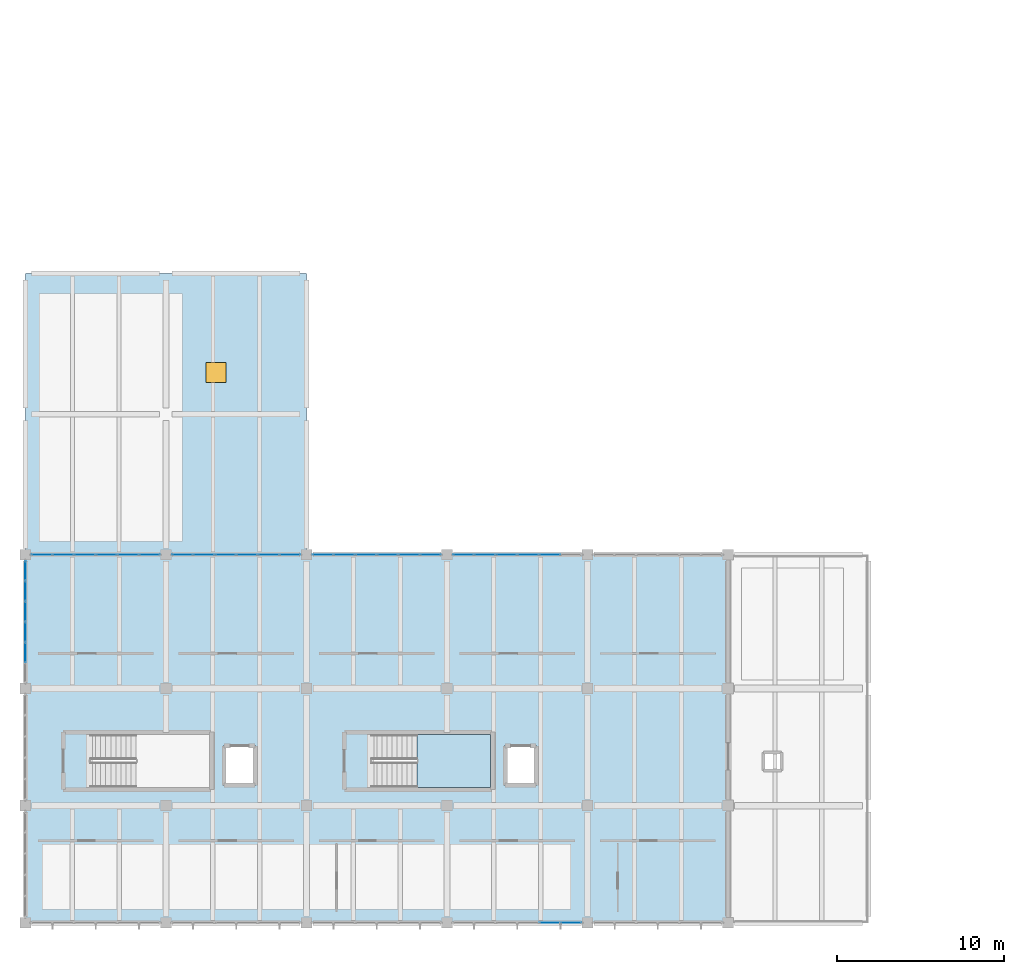
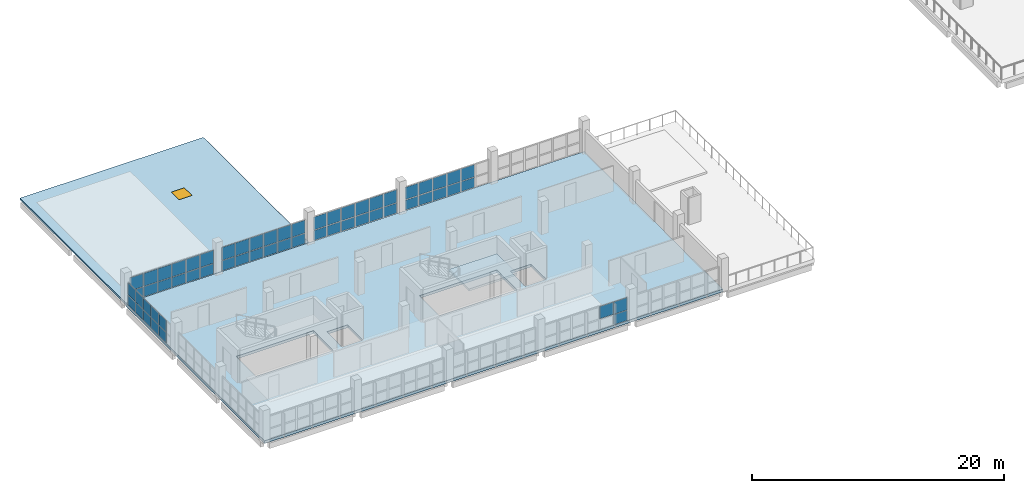
# One storey, part 23 of 33: 59 plates, 3 slabs, 1 door, 1 opening, 7 elements without a shape of their own.
"""IFC4 building model written with IfcOpenShell, lengths in metres."""

from ifc_helpers import new_model, si_unit, direction, frame, origin, origin_2d, place, context, subcontext, project, spatial, polyline, rectangle, outline, extrude, material, layer, layer_set, type_object, element, fill, aggregate, save


model = new_model("IFC4")

# Units and contexts
model_context = context("Model", 3, precision=1e-05, world=origin(), true_north=direction((0.0, 1.0)))
body_context = subcontext(model_context, "Body", "Model", "MODEL_VIEW")
ifc_project = project(units=[si_unit("LENGTHUNIT", "METRE"), si_unit("AREAUNIT", "SQUARE_METRE"), si_unit("VOLUMEUNIT", "CUBIC_METRE"), si_unit("PLANEANGLEUNIT", "RADIAN"), si_unit("MASSUNIT", "GRAM", prefix="KILO"), si_unit("THERMODYNAMICTEMPERATUREUNIT", "KELVIN"), si_unit("POWERUNIT", "WATT")], contexts=[model_context])

# Site, building, storey
site_placement = place(None, origin())
site = spatial("IfcSite", under=ifc_project, at=site_placement, CompositionType="ELEMENT")
building_placement = place(site_placement, origin())
building = spatial("IfcBuilding", under=site, at=building_placement, Name="Mavoryth Pier Ferry Terminal", CompositionType="ELEMENT")
storey_placement = place(building_placement, frame((0.0, 0.0, 13.1201171875)))
storey = spatial("IfcBuildingStorey", under=building, at=storey_placement, Name="L03", CompositionType="ELEMENT", Elevation=13.1201171875)

# Curtain wall, plates
ifc_material_1 = material(Name="Anodised Aluminium and Solar-Control Low-E Glass", Category="aluminium")
ifc_layer_1 = layer(ifc_material_1, 0.239990234375, Name="Anodised Aluminium and Solar-Control Low-E Glass", Category="aluminium")
ifc_layer_set_1 = layer_set([ifc_layer_1], Name="Anodised Aluminium and Solar-Control Low-E Glass - CW-Operations-Mod1200")
curtain_wall_type = type_object("IfcCurtainWallType", Name="CW-Operations-Mod1200", PredefinedType="USERDEFINED", material=ifc_layer_set_1)
curtain_wall_1_placement = place(storey_placement, origin())
curtain_wall_1 = element("IfcCurtainWall", 1, at=curtain_wall_1_placement, inside=storey, type_object=curtain_wall_type, Name="Curtain Wall CW-0322-137", ObjectType="UNITISED CURTAIN WALL", PredefinedType="USERDEFINED")
ifc_material_2 = material(Name="Solar-Control Low-E Laminated Double Glazing", Category="glass")
ifc_layer_2 = layer(ifc_material_2, 0.02392578125, Name="Solar-Control Low-E Laminated Double Glazing", Category="glass")
ifc_layer_set_2 = layer_set([ifc_layer_2], Name="Solar-Control Low-E Laminated Double Glazing - Panel-LowE-DGU-24")
plate_type = type_object("IfcPlateType", Name="Panel-LowE-DGU-24", PredefinedType="CURTAIN_PANEL", material=ifc_layer_set_2)
plate_1_placement = place(storey_placement, frame((49.4140625, 22.0, 0.059814453125), z_axis=(0.0, 0.0, 1.0), x_axis=(-1.0, 0.0, 0.0)))
plate_1 = element("IfcPlate", 2, at=plate_1_placement, type_object=plate_type, Name="CW06 panel 1.1", PredefinedType="CURTAIN_PANEL", context=body_context, shape_type="SweptSolid", body=[
    extrude(rectangle(XDim=1.20166015625, YDim=0.02392578125, at=origin_2d()), origin(), (0.0, 0.0, 1.0), 0.9599609375),
])
plate_2_placement = place(storey_placement, frame((49.4140625, 22.0, 1.079833984375), z_axis=(0.0, 0.0, 1.0), x_axis=(-1.0, 0.0, 0.0)))
plate_2 = element("IfcPlate", 3, at=plate_2_placement, type_object=plate_type, Name="CW06 panel 1.2", PredefinedType="CURTAIN_PANEL", context=body_context, shape_type="SweptSolid", body=[
    extrude(rectangle(XDim=1.20166015625, YDim=0.02392578125, at=origin_2d()), origin(), (0.0, 0.0, 1.0), 1.2451171875),
])
plate_3_placement = place(storey_placement, frame((48.137451171875, 22.0, 0.059814453125), z_axis=(0.0, 0.0, 1.0), x_axis=(-1.0, 0.0, 0.0)))
plate_3 = element("IfcPlate", 4, at=plate_3_placement, type_object=plate_type, Name="CW06 panel 2.1", PredefinedType="CURTAIN_PANEL", context=body_context, shape_type="SweptSolid", body=[
    extrude(rectangle(XDim=1.231689453125, YDim=0.02392578125, at=origin_2d()), origin(), (0.0, 0.0, 1.0), 0.9599609375),
])
plate_4_placement = place(storey_placement, frame((48.137451171875, 22.0, 1.079833984375), z_axis=(0.0, 0.0, 1.0), x_axis=(-1.0, 0.0, 0.0)))
plate_4 = element("IfcPlate", 5, at=plate_4_placement, type_object=plate_type, Name="CW06 panel 2.2", PredefinedType="CURTAIN_PANEL", context=body_context, shape_type="SweptSolid", body=[
    extrude(rectangle(XDim=1.231689453125, YDim=0.02392578125, at=origin_2d()), origin(), (0.0, 0.0, 1.0), 1.2451171875),
])
plate_5_placement = place(storey_placement, frame((46.845947265625, 22.0, 0.059814453125), z_axis=(0.0, 0.0, 1.0), x_axis=(-1.0, 0.0, 0.0)))
plate_5 = element("IfcPlate", 6, at=plate_5_placement, type_object=plate_type, Name="CW06 panel 3.1", PredefinedType="CURTAIN_PANEL", context=body_context, shape_type="SweptSolid", body=[
    extrude(rectangle(XDim=1.231689453125, YDim=0.02392578125, at=origin_2d()), origin(), (0.0, 0.0, 1.0), 0.9599609375),
])
plate_6_placement = place(storey_placement, frame((46.845947265625, 22.0, 1.079833984375), z_axis=(0.0, 0.0, 1.0), x_axis=(-1.0, 0.0, 0.0)))
plate_6 = element("IfcPlate", 7, at=plate_6_placement, type_object=plate_type, Name="CW06 panel 3.2", PredefinedType="CURTAIN_PANEL", context=body_context, shape_type="SweptSolid", body=[
    extrude(rectangle(XDim=1.231689453125, YDim=0.02392578125, at=origin_2d()), origin(), (0.0, 0.0, 1.0), 1.2451171875),
])
plate_7_placement = place(storey_placement, frame((45.55419921875, 22.0, 0.059814453125), z_axis=(0.0, 0.0, 1.0), x_axis=(-1.0, 0.0, 0.0)))
plate_7 = element("IfcPlate", 8, at=plate_7_placement, type_object=plate_type, Name="CW06 panel 4.1", PredefinedType="CURTAIN_PANEL", context=body_context, shape_type="SweptSolid", body=[
    extrude(rectangle(XDim=1.231689453125, YDim=0.02392578125, at=origin_2d()), origin(), (0.0, 0.0, 1.0), 0.9599609375),
])
plate_8_placement = place(storey_placement, frame((45.55419921875, 22.0, 1.079833984375), z_axis=(0.0, 0.0, 1.0), x_axis=(-1.0, 0.0, 0.0)))
plate_8 = element("IfcPlate", 9, at=plate_8_placement, type_object=plate_type, Name="CW06 panel 4.2", PredefinedType="CURTAIN_PANEL", context=body_context, shape_type="SweptSolid", body=[
    extrude(rectangle(XDim=1.231689453125, YDim=0.02392578125, at=origin_2d()), origin(), (0.0, 0.0, 1.0), 1.2451171875),
])
plate_9_placement = place(storey_placement, frame((44.262451171875, 22.0, 0.059814453125), z_axis=(0.0, 0.0, 1.0), x_axis=(-1.0, 0.0, 0.0)))
plate_9 = element("IfcPlate", 10, at=plate_9_placement, type_object=plate_type, Name="CW06 panel 5.1", PredefinedType="CURTAIN_PANEL", context=body_context, shape_type="SweptSolid", body=[
    extrude(rectangle(XDim=1.231689453125, YDim=0.02392578125, at=origin_2d()), origin(), (0.0, 0.0, 1.0), 0.9599609375),
])
plate_10_placement = place(storey_placement, frame((44.262451171875, 22.0, 1.079833984375), z_axis=(0.0, 0.0, 1.0), x_axis=(-1.0, 0.0, 0.0)))
plate_10 = element("IfcPlate", 11, at=plate_10_placement, type_object=plate_type, Name="CW06 panel 5.2", PredefinedType="CURTAIN_PANEL", context=body_context, shape_type="SweptSolid", body=[
    extrude(rectangle(XDim=1.231689453125, YDim=0.02392578125, at=origin_2d()), origin(), (0.0, 0.0, 1.0), 1.2451171875),
])
plate_11_placement = place(storey_placement, frame((42.98583984375, 22.0, 0.059814453125), z_axis=(0.0, 0.0, 1.0), x_axis=(-1.0, 0.0, 0.0)))
plate_11 = element("IfcPlate", 12, at=plate_11_placement, type_object=plate_type, Name="CW06 panel 6.1", PredefinedType="CURTAIN_PANEL", context=body_context, shape_type="SweptSolid", body=[
    extrude(rectangle(XDim=1.20166015625, YDim=0.02392578125, at=origin_2d()), origin(), (0.0, 0.0, 1.0), 0.9599609375),
])
plate_12_placement = place(storey_placement, frame((42.98583984375, 22.0, 1.079833984375), z_axis=(0.0, 0.0, 1.0), x_axis=(-1.0, 0.0, 0.0)))
plate_12 = element("IfcPlate", 13, at=plate_12_placement, type_object=plate_type, Name="CW06 panel 6.2", PredefinedType="CURTAIN_PANEL", context=body_context, shape_type="SweptSolid", body=[
    extrude(rectangle(XDim=1.20166015625, YDim=0.02392578125, at=origin_2d()), origin(), (0.0, 0.0, 1.0), 1.2451171875),
])
aggregate(curtain_wall_1, [plate_1, plate_2, plate_3, plate_4, plate_5, plate_6, plate_7, plate_8, plate_9, plate_10, plate_11, plate_12])

curtain_wall_2_placement = place(storey_placement, origin())
curtain_wall_2 = element("IfcCurtainWall", 14, at=curtain_wall_2_placement, inside=storey, type_object=curtain_wall_type, Name="Curtain Wall CW-0322-139", ObjectType="UNITISED CURTAIN WALL", PredefinedType="USERDEFINED")
plate_13_placement = place(storey_placement, frame((57.814208984375, 22.0, 0.059814453125), z_axis=(0.0, 0.0, 1.0), x_axis=(-1.0, 0.0, 0.0)))
plate_13 = element("IfcPlate", 15, at=plate_13_placement, type_object=plate_type, Name="CW06 panel 1.1", PredefinedType="CURTAIN_PANEL", context=body_context, shape_type="SweptSolid", body=[
    extrude(rectangle(XDim=1.20166015625, YDim=0.02392578125, at=origin_2d()), origin(), (0.0, 0.0, 1.0), 0.9599609375),
])
plate_14_placement = place(storey_placement, frame((57.814208984375, 22.0, 1.079833984375), z_axis=(0.0, 0.0, 1.0), x_axis=(-1.0, 0.0, 0.0)))
plate_14 = element("IfcPlate", 16, at=plate_14_placement, type_object=plate_type, Name="CW06 panel 1.2", PredefinedType="CURTAIN_PANEL", context=body_context, shape_type="SweptSolid", body=[
    extrude(rectangle(XDim=1.20166015625, YDim=0.02392578125, at=origin_2d()), origin(), (0.0, 0.0, 1.0), 1.2451171875),
])
plate_15_placement = place(storey_placement, frame((56.53759765625, 22.0, 0.059814453125), z_axis=(0.0, 0.0, 1.0), x_axis=(-1.0, 0.0, 0.0)))
plate_15 = element("IfcPlate", 17, at=plate_15_placement, type_object=plate_type, Name="CW06 panel 2.1", PredefinedType="CURTAIN_PANEL", context=body_context, shape_type="SweptSolid", body=[
    extrude(rectangle(XDim=1.231689453125, YDim=0.02392578125, at=origin_2d()), origin(), (0.0, 0.0, 1.0), 0.9599609375),
])
plate_16_placement = place(storey_placement, frame((56.53759765625, 22.0, 1.079833984375), z_axis=(0.0, 0.0, 1.0), x_axis=(-1.0, 0.0, 0.0)))
plate_16 = element("IfcPlate", 18, at=plate_16_placement, type_object=plate_type, Name="CW06 panel 2.2", PredefinedType="CURTAIN_PANEL", context=body_context, shape_type="SweptSolid", body=[
    extrude(rectangle(XDim=1.231689453125, YDim=0.02392578125, at=origin_2d()), origin(), (0.0, 0.0, 1.0), 1.2451171875),
])
plate_17_placement = place(storey_placement, frame((55.245849609375, 22.0, 0.059814453125), z_axis=(0.0, 0.0, 1.0), x_axis=(-1.0, 0.0, 0.0)))
plate_17 = element("IfcPlate", 19, at=plate_17_placement, type_object=plate_type, Name="CW06 panel 3.1", PredefinedType="CURTAIN_PANEL", context=body_context, shape_type="SweptSolid", body=[
    extrude(rectangle(XDim=1.231689453125, YDim=0.02392578125, at=origin_2d()), origin(), (0.0, 0.0, 1.0), 0.9599609375),
])
plate_18_placement = place(storey_placement, frame((55.245849609375, 22.0, 1.079833984375), z_axis=(0.0, 0.0, 1.0), x_axis=(-1.0, 0.0, 0.0)))
plate_18 = element("IfcPlate", 20, at=plate_18_placement, type_object=plate_type, Name="CW06 panel 3.2", PredefinedType="CURTAIN_PANEL", context=body_context, shape_type="SweptSolid", body=[
    extrude(rectangle(XDim=1.231689453125, YDim=0.02392578125, at=origin_2d()), origin(), (0.0, 0.0, 1.0), 1.2451171875),
])
plate_19_placement = place(storey_placement, frame((53.9541015625, 22.0, 0.059814453125), z_axis=(0.0, 0.0, 1.0), x_axis=(-1.0, 0.0, 0.0)))
plate_19 = element("IfcPlate", 21, at=plate_19_placement, type_object=plate_type, Name="CW06 panel 4.1", PredefinedType="CURTAIN_PANEL", context=body_context, shape_type="SweptSolid", body=[
    extrude(rectangle(XDim=1.231689453125, YDim=0.02392578125, at=origin_2d()), origin(), (0.0, 0.0, 1.0), 0.9599609375),
])
plate_20_placement = place(storey_placement, frame((53.9541015625, 22.0, 1.079833984375), z_axis=(0.0, 0.0, 1.0), x_axis=(-1.0, 0.0, 0.0)))
plate_20 = element("IfcPlate", 22, at=plate_20_placement, type_object=plate_type, Name="CW06 panel 4.2", PredefinedType="CURTAIN_PANEL", context=body_context, shape_type="SweptSolid", body=[
    extrude(rectangle(XDim=1.231689453125, YDim=0.02392578125, at=origin_2d()), origin(), (0.0, 0.0, 1.0), 1.2451171875),
])
plate_21_placement = place(storey_placement, frame((52.66259765625, 22.0, 0.059814453125), z_axis=(0.0, 0.0, 1.0), x_axis=(-1.0, 0.0, 0.0)))
plate_21 = element("IfcPlate", 23, at=plate_21_placement, type_object=plate_type, Name="CW06 panel 5.1", PredefinedType="CURTAIN_PANEL", context=body_context, shape_type="SweptSolid", body=[
    extrude(rectangle(XDim=1.231689453125, YDim=0.02392578125, at=origin_2d()), origin(), (0.0, 0.0, 1.0), 0.9599609375),
])
plate_22_placement = place(storey_placement, frame((52.66259765625, 22.0, 1.079833984375), z_axis=(0.0, 0.0, 1.0), x_axis=(-1.0, 0.0, 0.0)))
plate_22 = element("IfcPlate", 24, at=plate_22_placement, type_object=plate_type, Name="CW06 panel 5.2", PredefinedType="CURTAIN_PANEL", context=body_context, shape_type="SweptSolid", body=[
    extrude(rectangle(XDim=1.231689453125, YDim=0.02392578125, at=origin_2d()), origin(), (0.0, 0.0, 1.0), 1.2451171875),
])
plate_23_placement = place(storey_placement, frame((51.3857421875, 22.0, 0.059814453125), z_axis=(0.0, 0.0, 1.0), x_axis=(-1.0, 0.0, 0.0)))
plate_23 = element("IfcPlate", 25, at=plate_23_placement, type_object=plate_type, Name="CW06 panel 6.1", PredefinedType="CURTAIN_PANEL", context=body_context, shape_type="SweptSolid", body=[
    extrude(rectangle(XDim=1.20166015625, YDim=0.02392578125, at=origin_2d()), origin(), (0.0, 0.0, 1.0), 0.9599609375),
])
plate_24_placement = place(storey_placement, frame((51.3857421875, 22.0, 1.079833984375), z_axis=(0.0, 0.0, 1.0), x_axis=(-1.0, 0.0, 0.0)))
plate_24 = element("IfcPlate", 26, at=plate_24_placement, type_object=plate_type, Name="CW06 panel 6.2", PredefinedType="CURTAIN_PANEL", context=body_context, shape_type="SweptSolid", body=[
    extrude(rectangle(XDim=1.20166015625, YDim=0.02392578125, at=origin_2d()), origin(), (0.0, 0.0, 1.0), 1.2451171875),
])
aggregate(curtain_wall_2, [plate_13, plate_14, plate_15, plate_16, plate_17, plate_18, plate_19, plate_20, plate_21, plate_22, plate_23, plate_24])

curtain_wall_3_placement = place(storey_placement, origin())
curtain_wall_3 = element("IfcCurtainWall", 27, at=curtain_wall_3_placement, inside=storey, type_object=curtain_wall_type, Name="Curtain Wall CW-0322-141", ObjectType="UNITISED CURTAIN WALL", PredefinedType="USERDEFINED")
plate_25_placement = place(storey_placement, frame((66.214111328125, 22.0, 0.059814453125), z_axis=(0.0, 0.0, 1.0), x_axis=(-1.0, 0.0, 0.0)))
plate_25 = element("IfcPlate", 28, at=plate_25_placement, type_object=plate_type, Name="CW06 panel 1.1", PredefinedType="CURTAIN_PANEL", context=body_context, shape_type="SweptSolid", body=[
    extrude(rectangle(XDim=1.20166015625, YDim=0.02392578125, at=origin_2d()), origin(), (0.0, 0.0, 1.0), 0.9599609375),
])
plate_26_placement = place(storey_placement, frame((66.214111328125, 22.0, 1.079833984375), z_axis=(0.0, 0.0, 1.0), x_axis=(-1.0, 0.0, 0.0)))
plate_26 = element("IfcPlate", 29, at=plate_26_placement, type_object=plate_type, Name="CW06 panel 1.2", PredefinedType="CURTAIN_PANEL", context=body_context, shape_type="SweptSolid", body=[
    extrude(rectangle(XDim=1.20166015625, YDim=0.02392578125, at=origin_2d()), origin(), (0.0, 0.0, 1.0), 1.2451171875),
])
plate_27_placement = place(storey_placement, frame((64.9375, 22.0, 0.059814453125), z_axis=(0.0, 0.0, 1.0), x_axis=(-1.0, 0.0, 0.0)))
plate_27 = element("IfcPlate", 30, at=plate_27_placement, type_object=plate_type, Name="CW06 panel 2.1", PredefinedType="CURTAIN_PANEL", context=body_context, shape_type="SweptSolid", body=[
    extrude(rectangle(XDim=1.231689453125, YDim=0.02392578125, at=origin_2d()), origin(), (0.0, 0.0, 1.0), 0.9599609375),
])
plate_28_placement = place(storey_placement, frame((64.9375, 22.0, 1.079833984375), z_axis=(0.0, 0.0, 1.0), x_axis=(-1.0, 0.0, 0.0)))
plate_28 = element("IfcPlate", 31, at=plate_28_placement, type_object=plate_type, Name="CW06 panel 2.2", PredefinedType="CURTAIN_PANEL", context=body_context, shape_type="SweptSolid", body=[
    extrude(rectangle(XDim=1.231689453125, YDim=0.02392578125, at=origin_2d()), origin(), (0.0, 0.0, 1.0), 1.2451171875),
])
plate_29_placement = place(storey_placement, frame((63.645751953125, 22.0, 0.059814453125), z_axis=(0.0, 0.0, 1.0), x_axis=(-1.0, 0.0, 0.0)))
plate_29 = element("IfcPlate", 32, at=plate_29_placement, type_object=plate_type, Name="CW06 panel 3.1", PredefinedType="CURTAIN_PANEL", context=body_context, shape_type="SweptSolid", body=[
    extrude(rectangle(XDim=1.231689453125, YDim=0.02392578125, at=origin_2d()), origin(), (0.0, 0.0, 1.0), 0.9599609375),
])
plate_30_placement = place(storey_placement, frame((63.645751953125, 22.0, 1.079833984375), z_axis=(0.0, 0.0, 1.0), x_axis=(-1.0, 0.0, 0.0)))
plate_30 = element("IfcPlate", 33, at=plate_30_placement, type_object=plate_type, Name="CW06 panel 3.2", PredefinedType="CURTAIN_PANEL", context=body_context, shape_type="SweptSolid", body=[
    extrude(rectangle(XDim=1.231689453125, YDim=0.02392578125, at=origin_2d()), origin(), (0.0, 0.0, 1.0), 1.2451171875),
])
plate_31_placement = place(storey_placement, frame((62.354248046875, 22.0, 0.059814453125), z_axis=(0.0, 0.0, 1.0), x_axis=(-1.0, 0.0, 0.0)))
plate_31 = element("IfcPlate", 34, at=plate_31_placement, type_object=plate_type, Name="CW06 panel 4.1", PredefinedType="CURTAIN_PANEL", context=body_context, shape_type="SweptSolid", body=[
    extrude(rectangle(XDim=1.231689453125, YDim=0.02392578125, at=origin_2d()), origin(), (0.0, 0.0, 1.0), 0.9599609375),
])
plate_32_placement = place(storey_placement, frame((62.354248046875, 22.0, 1.079833984375), z_axis=(0.0, 0.0, 1.0), x_axis=(-1.0, 0.0, 0.0)))
plate_32 = element("IfcPlate", 35, at=plate_32_placement, type_object=plate_type, Name="CW06 panel 4.2", PredefinedType="CURTAIN_PANEL", context=body_context, shape_type="SweptSolid", body=[
    extrude(rectangle(XDim=1.231689453125, YDim=0.02392578125, at=origin_2d()), origin(), (0.0, 0.0, 1.0), 1.2451171875),
])
plate_33_placement = place(storey_placement, frame((61.0625, 22.0, 0.059814453125), z_axis=(0.0, 0.0, 1.0), x_axis=(-1.0, 0.0, 0.0)))
plate_33 = element("IfcPlate", 36, at=plate_33_placement, type_object=plate_type, Name="CW06 panel 5.1", PredefinedType="CURTAIN_PANEL", context=body_context, shape_type="SweptSolid", body=[
    extrude(rectangle(XDim=1.231689453125, YDim=0.02392578125, at=origin_2d()), origin(), (0.0, 0.0, 1.0), 0.9599609375),
])
plate_34_placement = place(storey_placement, frame((61.0625, 22.0, 1.079833984375), z_axis=(0.0, 0.0, 1.0), x_axis=(-1.0, 0.0, 0.0)))
plate_34 = element("IfcPlate", 37, at=plate_34_placement, type_object=plate_type, Name="CW06 panel 5.2", PredefinedType="CURTAIN_PANEL", context=body_context, shape_type="SweptSolid", body=[
    extrude(rectangle(XDim=1.231689453125, YDim=0.02392578125, at=origin_2d()), origin(), (0.0, 0.0, 1.0), 1.2451171875),
])
plate_35_placement = place(storey_placement, frame((59.785888671875, 22.0, 0.059814453125), z_axis=(0.0, 0.0, 1.0), x_axis=(-1.0, 0.0, 0.0)))
plate_35 = element("IfcPlate", 38, at=plate_35_placement, type_object=plate_type, Name="CW06 panel 6.1", PredefinedType="CURTAIN_PANEL", context=body_context, shape_type="SweptSolid", body=[
    extrude(rectangle(XDim=1.20166015625, YDim=0.02392578125, at=origin_2d()), origin(), (0.0, 0.0, 1.0), 0.9599609375),
])
plate_36_placement = place(storey_placement, frame((59.785888671875, 22.0, 1.079833984375), z_axis=(0.0, 0.0, 1.0), x_axis=(-1.0, 0.0, 0.0)))
plate_36 = element("IfcPlate", 39, at=plate_36_placement, type_object=plate_type, Name="CW06 panel 6.2", PredefinedType="CURTAIN_PANEL", context=body_context, shape_type="SweptSolid", body=[
    extrude(rectangle(XDim=1.20166015625, YDim=0.02392578125, at=origin_2d()), origin(), (0.0, 0.0, 1.0), 1.2451171875),
])
aggregate(curtain_wall_3, [plate_25, plate_26, plate_27, plate_28, plate_29, plate_30, plate_31, plate_32, plate_33, plate_34, plate_35, plate_36])

curtain_wall_4_placement = place(storey_placement, origin())
curtain_wall_4 = element("IfcCurtainWall", 40, at=curtain_wall_4_placement, inside=storey, type_object=curtain_wall_type, Name="Curtain Wall CW-0322-142", ObjectType="UNITISED CURTAIN WALL", PredefinedType="USERDEFINED")
plate_37_placement = place(storey_placement, frame((73.33740234375, 0.0, 1.079833984375), z_axis=(0.0, 0.0, 1.0), x_axis=(1.0, 0.0, 0.0)))
plate_37 = element("IfcPlate", 41, at=plate_37_placement, type_object=plate_type, Name="CW06 panel 5.2", PredefinedType="CURTAIN_PANEL", context=body_context, shape_type="SweptSolid", body=[
    extrude(rectangle(XDim=1.231689453125, YDim=0.02392578125, at=origin_2d()), origin(), (0.0, 0.0, 1.0), 1.18505859375),
])
plate_38_placement = place(storey_placement, frame((74.6142578125, 0.0, 0.059814453125), z_axis=(0.0, 0.0, 1.0), x_axis=(1.0, 0.0, 0.0)))
plate_38 = element("IfcPlate", 42, at=plate_38_placement, type_object=plate_type, Name="CW06 panel 6.1", PredefinedType="CURTAIN_PANEL", context=body_context, shape_type="SweptSolid", body=[
    extrude(rectangle(XDim=1.20166015625, YDim=0.02392578125, at=origin_2d()), origin(), (0.0, 0.0, 1.0), 0.9599609375),
])
plate_39_placement = place(storey_placement, frame((74.6142578125, 0.0, 1.079833984375), z_axis=(0.0, 0.0, 1.0), x_axis=(1.0, 0.0, 0.0)))
plate_39 = element("IfcPlate", 43, at=plate_39_placement, type_object=plate_type, Name="CW06 panel 6.2", PredefinedType="CURTAIN_PANEL", context=body_context, shape_type="SweptSolid", body=[
    extrude(rectangle(XDim=1.20166015625, YDim=0.02392578125, at=origin_2d()), origin(), (0.0, 0.0, 1.0), 1.18505859375),
])
aggregate(curtain_wall_4, [plate_37, plate_38, plate_39])

curtain_wall_5_placement = place(storey_placement, origin())
curtain_wall_5 = element("IfcCurtainWall", 44, at=curtain_wall_5_placement, inside=storey, type_object=curtain_wall_type, Name="Curtain Wall CW-0322-143", ObjectType="UNITISED CURTAIN WALL", PredefinedType="USERDEFINED")
plate_40_placement = place(storey_placement, frame((73.33740234375, 22.0, 0.059814453125), z_axis=(0.0, 0.0, 1.0), x_axis=(-1.0, 0.0, 0.0)))
plate_40 = element("IfcPlate", 45, at=plate_40_placement, type_object=plate_type, Name="CW06 panel 2.1", PredefinedType="CURTAIN_PANEL", context=body_context, shape_type="SweptSolid", body=[
    extrude(rectangle(XDim=1.231689453125, YDim=0.02392578125, at=origin_2d()), origin(), (0.0, 0.0, 1.0), 0.9599609375),
])
plate_41_placement = place(storey_placement, frame((73.33740234375, 22.0, 1.079833984375), z_axis=(0.0, 0.0, 1.0), x_axis=(-1.0, 0.0, 0.0)))
plate_41 = element("IfcPlate", 46, at=plate_41_placement, type_object=plate_type, Name="CW06 panel 2.2", PredefinedType="CURTAIN_PANEL", context=body_context, shape_type="SweptSolid", body=[
    extrude(rectangle(XDim=1.231689453125, YDim=0.02392578125, at=origin_2d()), origin(), (0.0, 0.0, 1.0), 1.18505859375),
])
plate_42_placement = place(storey_placement, frame((72.0458984375, 22.0, 0.059814453125), z_axis=(0.0, 0.0, 1.0), x_axis=(-1.0, 0.0, 0.0)))
plate_42 = element("IfcPlate", 47, at=plate_42_placement, type_object=plate_type, Name="CW06 panel 3.1", PredefinedType="CURTAIN_PANEL", context=body_context, shape_type="SweptSolid", body=[
    extrude(rectangle(XDim=1.231689453125, YDim=0.02392578125, at=origin_2d()), origin(), (0.0, 0.0, 1.0), 0.9599609375),
])
plate_43_placement = place(storey_placement, frame((72.0458984375, 22.0, 1.079833984375), z_axis=(0.0, 0.0, 1.0), x_axis=(-1.0, 0.0, 0.0)))
plate_43 = element("IfcPlate", 48, at=plate_43_placement, type_object=plate_type, Name="CW06 panel 3.2", PredefinedType="CURTAIN_PANEL", context=body_context, shape_type="SweptSolid", body=[
    extrude(rectangle(XDim=1.231689453125, YDim=0.02392578125, at=origin_2d()), origin(), (0.0, 0.0, 1.0), 1.18505859375),
])
plate_44_placement = place(storey_placement, frame((70.754150390625, 22.0, 0.059814453125), z_axis=(0.0, 0.0, 1.0), x_axis=(-1.0, 0.0, 0.0)))
plate_44 = element("IfcPlate", 49, at=plate_44_placement, type_object=plate_type, Name="CW06 panel 4.1", PredefinedType="CURTAIN_PANEL", context=body_context, shape_type="SweptSolid", body=[
    extrude(rectangle(XDim=1.231689453125, YDim=0.02392578125, at=origin_2d()), origin(), (0.0, 0.0, 1.0), 0.9599609375),
])
plate_45_placement = place(storey_placement, frame((70.754150390625, 22.0, 1.079833984375), z_axis=(0.0, 0.0, 1.0), x_axis=(-1.0, 0.0, 0.0)))
plate_45 = element("IfcPlate", 50, at=plate_45_placement, type_object=plate_type, Name="CW06 panel 4.2", PredefinedType="CURTAIN_PANEL", context=body_context, shape_type="SweptSolid", body=[
    extrude(rectangle(XDim=1.231689453125, YDim=0.02392578125, at=origin_2d()), origin(), (0.0, 0.0, 1.0), 1.18505859375),
])
plate_46_placement = place(storey_placement, frame((69.46240234375, 22.0, 0.059814453125), z_axis=(0.0, 0.0, 1.0), x_axis=(-1.0, 0.0, 0.0)))
plate_46 = element("IfcPlate", 51, at=plate_46_placement, type_object=plate_type, Name="CW06 panel 5.1", PredefinedType="CURTAIN_PANEL", context=body_context, shape_type="SweptSolid", body=[
    extrude(rectangle(XDim=1.231689453125, YDim=0.02392578125, at=origin_2d()), origin(), (0.0, 0.0, 1.0), 0.9599609375),
])
plate_47_placement = place(storey_placement, frame((69.46240234375, 22.0, 1.079833984375), z_axis=(0.0, 0.0, 1.0), x_axis=(-1.0, 0.0, 0.0)))
plate_47 = element("IfcPlate", 52, at=plate_47_placement, type_object=plate_type, Name="CW06 panel 5.2", PredefinedType="CURTAIN_PANEL", context=body_context, shape_type="SweptSolid", body=[
    extrude(rectangle(XDim=1.231689453125, YDim=0.02392578125, at=origin_2d()), origin(), (0.0, 0.0, 1.0), 1.18505859375),
])
plate_48_placement = place(storey_placement, frame((68.185791015625, 22.0, 0.059814453125), z_axis=(0.0, 0.0, 1.0), x_axis=(-1.0, 0.0, 0.0)))
plate_48 = element("IfcPlate", 53, at=plate_48_placement, type_object=plate_type, Name="CW06 panel 6.1", PredefinedType="CURTAIN_PANEL", context=body_context, shape_type="SweptSolid", body=[
    extrude(rectangle(XDim=1.20166015625, YDim=0.02392578125, at=origin_2d()), origin(), (0.0, 0.0, 1.0), 0.9599609375),
])
plate_49_placement = place(storey_placement, frame((68.185791015625, 22.0, 1.079833984375), z_axis=(0.0, 0.0, 1.0), x_axis=(-1.0, 0.0, 0.0)))
plate_49 = element("IfcPlate", 54, at=plate_49_placement, type_object=plate_type, Name="CW06 panel 6.2", PredefinedType="CURTAIN_PANEL", context=body_context, shape_type="SweptSolid", body=[
    extrude(rectangle(XDim=1.20166015625, YDim=0.02392578125, at=origin_2d()), origin(), (0.0, 0.0, 1.0), 1.18505859375),
])
aggregate(curtain_wall_5, [plate_40, plate_41, plate_42, plate_43, plate_44, plate_45, plate_46, plate_47, plate_48, plate_49])

curtain_wall_6_placement = place(storey_placement, origin())
curtain_wall_6 = element("IfcCurtainWall", 55, at=curtain_wall_6_placement, inside=storey, type_object=curtain_wall_type, Name="Curtain Wall CW-0322-148", ObjectType="UNITISED CURTAIN WALL", PredefinedType="USERDEFINED")
plate_50_placement = place(storey_placement, frame((42.0, 21.047607421875, 0.059814453125), z_axis=(0.0, 0.0, 1.0), x_axis=(0.0, -1.0, 0.0)))
plate_50 = element("IfcPlate", 56, at=plate_50_placement, type_object=plate_type, Name="CW06 panel 1.1", PredefinedType="CURTAIN_PANEL", context=body_context, shape_type="SweptSolid", body=[
    extrude(rectangle(XDim=1.135009765625, YDim=0.02392578125, at=origin_2d()), origin(), (0.0, 0.0, 1.0), 0.9599609375),
])
plate_51_placement = place(storey_placement, frame((42.0, 21.047607421875, 1.080078125), z_axis=(0.0, 0.0, 1.0), x_axis=(0.0, -1.0, 0.0)))
plate_51 = element("IfcPlate", 57, at=plate_51_placement, type_object=plate_type, Name="CW06 panel 1.2", PredefinedType="CURTAIN_PANEL", context=body_context, shape_type="SweptSolid", body=[
    extrude(rectangle(XDim=1.135009765625, YDim=0.02392578125, at=origin_2d()), origin(), (0.0, 0.0, 1.0), 1.135009765625),
])
plate_52_placement = place(storey_placement, frame((42.0, 19.83740234375, 0.059814453125), z_axis=(0.0, 0.0, 1.0), x_axis=(0.0, -1.0, 0.0)))
plate_52 = element("IfcPlate", 58, at=plate_52_placement, type_object=plate_type, Name="CW06 panel 2.1", PredefinedType="CURTAIN_PANEL", context=body_context, shape_type="SweptSolid", body=[
    extrude(rectangle(XDim=1.1650390625, YDim=0.02392578125, at=origin_2d()), origin(), (0.0, 0.0, 1.0), 0.9599609375),
])
plate_53_placement = place(storey_placement, frame((42.0, 19.83740234375, 1.080078125), z_axis=(0.0, 0.0, 1.0), x_axis=(0.0, -1.0, 0.0)))
plate_53 = element("IfcPlate", 59, at=plate_53_placement, type_object=plate_type, Name="CW06 panel 2.2", PredefinedType="CURTAIN_PANEL", context=body_context, shape_type="SweptSolid", body=[
    extrude(rectangle(XDim=1.1650390625, YDim=0.02392578125, at=origin_2d()), origin(), (0.0, 0.0, 1.0), 1.135009765625),
])
plate_54_placement = place(storey_placement, frame((42.0, 18.612548828125, 0.059814453125), z_axis=(0.0, 0.0, 1.0), x_axis=(0.0, -1.0, 0.0)))
plate_54 = element("IfcPlate", 60, at=plate_54_placement, type_object=plate_type, Name="CW06 panel 3.1", PredefinedType="CURTAIN_PANEL", context=body_context, shape_type="SweptSolid", body=[
    extrude(rectangle(XDim=1.1650390625, YDim=0.02392578125, at=origin_2d()), origin(), (0.0, 0.0, 1.0), 0.9599609375),
])
plate_55_placement = place(storey_placement, frame((42.0, 18.612548828125, 1.080078125), z_axis=(0.0, 0.0, 1.0), x_axis=(0.0, -1.0, 0.0)))
plate_55 = element("IfcPlate", 61, at=plate_55_placement, type_object=plate_type, Name="CW06 panel 3.2", PredefinedType="CURTAIN_PANEL", context=body_context, shape_type="SweptSolid", body=[
    extrude(rectangle(XDim=1.1650390625, YDim=0.02392578125, at=origin_2d()), origin(), (0.0, 0.0, 1.0), 1.135009765625),
])
plate_56_placement = place(storey_placement, frame((42.0, 17.387451171875, 0.059814453125), z_axis=(0.0, 0.0, 1.0), x_axis=(0.0, -1.0, 0.0)))
plate_56 = element("IfcPlate", 62, at=plate_56_placement, type_object=plate_type, Name="CW06 panel 4.1", PredefinedType="CURTAIN_PANEL", context=body_context, shape_type="SweptSolid", body=[
    extrude(rectangle(XDim=1.1650390625, YDim=0.02392578125, at=origin_2d()), origin(), (0.0, 0.0, 1.0), 0.9599609375),
])
plate_57_placement = place(storey_placement, frame((42.0, 17.387451171875, 1.080078125), z_axis=(0.0, 0.0, 1.0), x_axis=(0.0, -1.0, 0.0)))
plate_57 = element("IfcPlate", 63, at=plate_57_placement, type_object=plate_type, Name="CW06 panel 4.2", PredefinedType="CURTAIN_PANEL", context=body_context, shape_type="SweptSolid", body=[
    extrude(rectangle(XDim=1.1650390625, YDim=0.02392578125, at=origin_2d()), origin(), (0.0, 0.0, 1.0), 1.135009765625),
])
plate_58_placement = place(storey_placement, frame((42.0, 16.16259765625, 0.059814453125), z_axis=(0.0, 0.0, 1.0), x_axis=(0.0, -1.0, 0.0)))
plate_58 = element("IfcPlate", 64, at=plate_58_placement, type_object=plate_type, Name="CW06 panel 5.1", PredefinedType="CURTAIN_PANEL", context=body_context, shape_type="SweptSolid", body=[
    extrude(rectangle(XDim=1.1650390625, YDim=0.02392578125, at=origin_2d()), origin(), (0.0, 0.0, 1.0), 0.9599609375),
])
plate_59_placement = place(storey_placement, frame((42.0, 16.16259765625, 1.080078125), z_axis=(0.0, 0.0, 1.0), x_axis=(0.0, -1.0, 0.0)))
plate_59 = element("IfcPlate", 65, at=plate_59_placement, type_object=plate_type, Name="CW06 panel 5.2", PredefinedType="CURTAIN_PANEL", context=body_context, shape_type="SweptSolid", body=[
    extrude(rectangle(XDim=1.1650390625, YDim=0.02392578125, at=origin_2d()), origin(), (0.0, 0.0, 1.0), 1.135009765625),
])
aggregate(curtain_wall_6, [plate_50, plate_51, plate_52, plate_53, plate_54, plate_55, plate_56, plate_57, plate_58, plate_59])

# Slab
ifc_material_3 = material(Name="Concrete C35/45", Category="concrete")
ifc_layer_3 = layer(ifc_material_3, 0.260009765625, Name="Concrete C35/45", Category="concrete")
ifc_layer_set_3 = layer_set([ifc_layer_3], Name="Concrete C35/45 - Slab-Floor-Operations-260")
slab_type_1 = type_object("IfcSlabType", Name="Slab-Floor-Operations-260", PredefinedType="FLOOR", material=ifc_layer_set_3)
slab_1_placement = place(storey_placement, frame((0.0, 0.0, -0.260009765625)))
element("IfcSlab", 66, at=slab_1_placement, inside=storey, type_object=slab_type_1, Name="Slab SLB-V5-L03", PredefinedType="FLOOR", context=body_context, shape_type="SweptSolid", body=[
    extrude(outline(polyline([(42.0, 0.0), (84.0, 0.0), (84.0, 22.0), (42.0, 22.0), (42.0, 0.0)]), holes=[polyline([(45.89990234375, 8.10009765625), (53.0, 8.10009765625), (53.0, 11.25), (45.89990234375, 11.25), (45.89990234375, 8.10009765625)]), polyline([(62.699951171875, 8.10009765625), (69.800048828125, 8.10009765625), (69.800048828125, 11.25), (62.699951171875, 11.25), (62.699951171875, 8.10009765625)]), polyline([(53.85009765625, 8.199951171875), (55.75, 8.199951171875), (55.75, 10.60009765625), (53.85009765625, 10.60009765625), (53.85009765625, 8.199951171875)]), polyline([(70.64990234375, 8.199951171875), (72.550048828125, 8.199951171875), (72.550048828125, 10.60009765625), (70.64990234375, 10.60009765625), (70.64990234375, 8.199951171875)])]), origin(), (0.0, 0.0, 1.0), 0.260009765625),
])

# Stair, slab
stair_type = type_object("IfcStairType", Name="Stair-Core-W1500", PredefinedType="TWO_STRAIGHT_RUN_STAIR", material=ifc_material_3)
stair_placement = place(storey_placement, origin())
stair = element("IfcStair", 67, at=stair_placement, inside=storey, type_object=stair_type, Name="L03 Core C5B Stair", PredefinedType="TWO_STRAIGHT_RUN_STAIR")
ifc_layer_4 = layer(ifc_material_3, 0.199951171875, Name="Concrete C35/45", Category="concrete")
ifc_layer_set_4 = layer_set([ifc_layer_4], Name="Concrete C35/45 - Slab-Landing-RC-200")
slab_type_2 = type_object("IfcSlabType", Name="Slab-Landing-RC-200", PredefinedType="LANDING", material=ifc_layer_set_4)
slab_2_placement = place(storey_placement, frame((0.0, 0.0, 1.39990234375)))
slab_2 = element("IfcSlab", 68, at=slab_2_placement, type_object=slab_type_2, Name="ST12 landing 1", PredefinedType="LANDING", context=body_context, shape_type="SweptSolid", body=[
    extrude(outline(polyline([(65.39990234375, 8.10009765625), (69.800048828125, 8.10009765625), (69.800048828125, 11.25), (65.39990234375, 11.25), (65.39990234375, 8.10009765625)])), origin(), (0.0, 0.0, 1.0), 0.199951171875),
])
aggregate(stair, [slab_2])

# Slab, opening, door
ifc_layer_5 = layer(ifc_material_3, 0.159912109375, Name="Concrete C35/45", Category="concrete")
ifc_layer_set_5 = layer_set([ifc_layer_5], Name="Concrete C35/45 - Slab-Roof-Canopy-160")
slab_type_3 = type_object("IfcSlabType", Name="Slab-Roof-Canopy-160", PredefinedType="ROOF", material=ifc_layer_set_5)
slab_3_placement = place(storey_placement, frame((0.0, 0.0, -0.16015625)))
slab_3 = element("IfcSlab", 69, at=slab_3_placement, inside=storey, type_object=slab_type_3, Name="Slab SLB-V5-ARM-RF", PredefinedType="ROOF", context=body_context, shape_type="SweptSolid", body=[
    extrude(outline(polyline([(42.0, 22.0), (58.800048828125, 22.0), (58.800048828125, 38.800048828125), (42.0, 38.800048828125), (42.0, 22.0)]), holes=[polyline([(52.800048828125, 32.300048828125), (54.0, 32.300048828125), (54.0, 33.5), (52.800048828125, 33.5), (52.800048828125, 32.300048828125)])]), origin(), (0.0, 0.0, 1.0), 0.16015625),
])
opening_placement = place(slab_3_placement, frame((53.39990234375, 32.89990234375, 0.0)))
opening = element("IfcOpeningElement", 70, at=opening_placement, cuts=slab_3, Name="Opening RH01-04", PredefinedType="OPENING", context=body_context, shape_type="SweptSolid", body=[
    extrude(rectangle(XDim=1.199951171875, YDim=1.199951171875, at=origin_2d()), frame((0.0, 0.0, -0.010009765625)), (0.0, 0.0, 1.0), 0.18017578125),
])
ifc_material_4 = material(Name="Thermally Broken Anodised Aluminium and Laminated Glass", Category="aluminium")
door_type = type_object("IfcDoorType", Name="Hatch-RoofAccess-1200x1200", OperationType="NOTDEFINED", PredefinedType="TRAPDOOR", material=ifc_material_4)
door_placement = place(opening_placement, frame((0.0, 0.0, 0.110107421875)))
door = element("IfcDoor", 71, at=door_placement, inside=storey, type_object=door_type, Name="Roof Maintenance Access Hatch 4", OperationType="SINGLE_SWING_LEFT", OverallHeight=1.199951171875, OverallWidth=1.199951171875, PredefinedType="TRAPDOOR", context=body_context, shape_type="SweptSolid", body=[
    extrude(rectangle(XDim=1.199951171875, YDim=1.199951171875, at=origin_2d()), origin(), (0.0, 0.0, 1.0), 0.050048828125),
])
fill(opening, door)

save(model, "model.ifc")
